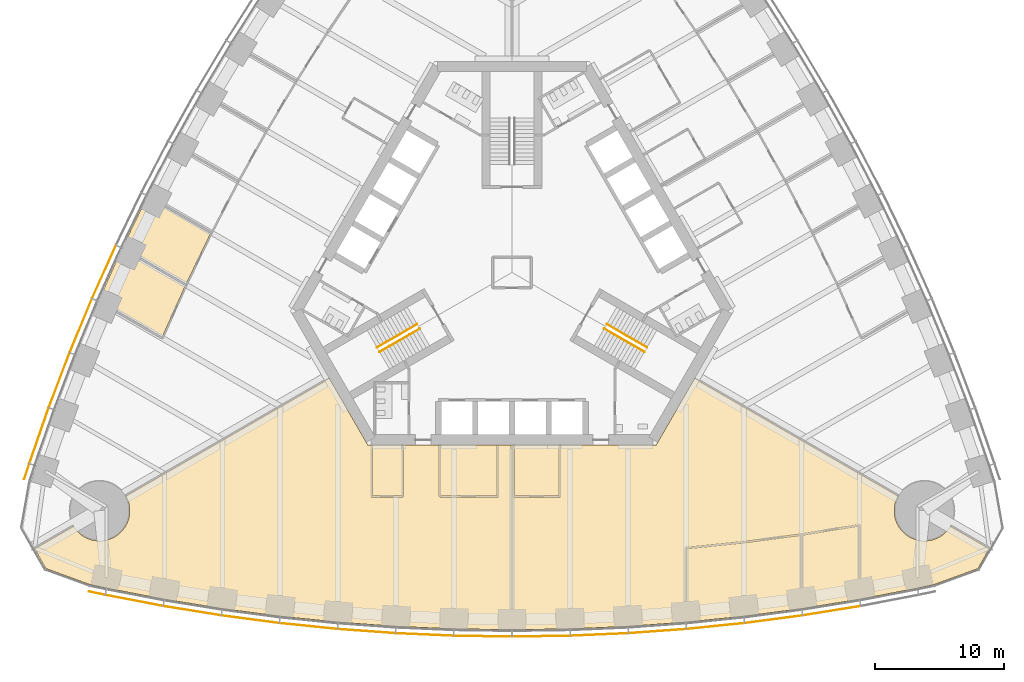
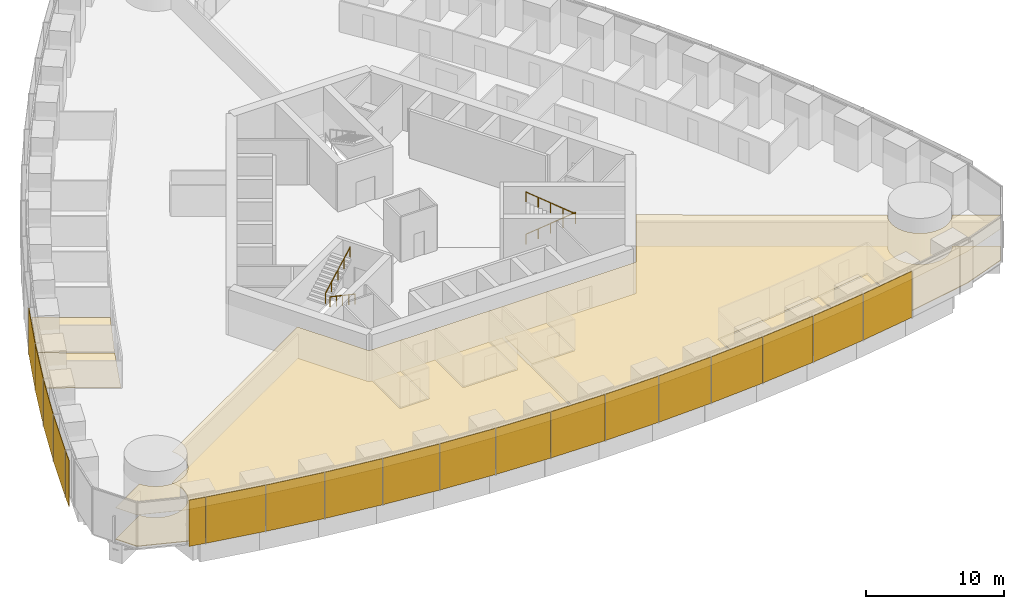
# One storey, part 15 of 19: 19 shading devices, 10 coverings, 4 railings.
"""IFC4 building model written with IfcOpenShell, lengths in metres."""

import ifcopenshell
import ifcopenshell.guid

model = None  # the IFC model being written
_history = None  # IfcOwnerHistory: only IFC2X3 demands one
_inside = {}  # id of a spatial element -> (the spatial element, [elements in it])
_under = {}  # id of a project, library or spatial element -> (it, [spatial elements below it])
_declared = {}  # id of a project -> (the project, [libraries it declares])
_typed = {}  # id of a type object -> (the type object, [elements of that type])
_made_of = {}  # id of a material, layer set ... -> (it, [elements and type objects made of it])


def new_model(schema):
    """Start an empty IFC model of exactly this schema.

    Asked for "IFC4X3", IfcOpenShell would pick the latest addendum, in which some entities
    have other attributes; the version numbers below select the first issue.
    IFC2X3 requires an IfcOwnerHistory on every rooted entity: one is made here for all.
    """
    global model, _history
    if schema == "IFC4X3":
        model = ifcopenshell.file(schema_version=(4, 3, 0, 0))
    else:
        model = ifcopenshell.file(schema=schema)
    _inside.clear()
    _under.clear()
    _declared.clear()
    _typed.clear()
    _made_of.clear()
    _history = None
    if model.schema == "IFC2X3":
        org = make("IfcOrganization", Name="unknown")
        user = make(
            "IfcPersonAndOrganization",
            ThePerson=make("IfcPerson", FamilyName="unknown"),
            TheOrganization=org,
        )
        app = make(
            "IfcApplication",
            ApplicationDeveloper=org,
            Version="unknown",
            ApplicationFullName="unknown",
            ApplicationIdentifier="unknown",
        )
        _history = make(
            "IfcOwnerHistory",
            OwningUser=user,
            OwningApplication=app,
            ChangeAction="ADDED",
            CreationDate=0,
        )
    return model


def make(cls, **values):
    """One entity of the class cls with the attributes given. An attribute that is None is left unset."""
    return model.create_entity(
        cls, **{name: value for name, value in values.items() if value is not None}
    )


def rooted(cls, **values):
    """An entity with a GlobalId (a new one), such as an element, a storey or a relation."""
    return make(cls, GlobalId=ifcopenshell.guid.new(), OwnerHistory=_history, **values)


def si_unit(unit_type, name, prefix=None):
    """IfcSIUnit, for example si_unit("LENGTHUNIT", "METRE", prefix="MILLI")."""
    return make("IfcSIUnit", UnitType=unit_type, Prefix=prefix, Name=name)


def assignment(units):
    """IfcUnitAssignment: the units of a project."""
    return None if units is None else make("IfcUnitAssignment", Units=units)


def point(xyz):
    """IfcCartesianPoint."""
    return None if xyz is None else make("IfcCartesianPoint", Coordinates=xyz)


def direction(xyz):
    """IfcDirection."""
    return None if xyz is None else make("IfcDirection", DirectionRatios=xyz)


def frame(location, z_axis=None, x_axis=None):
    """IfcAxis2Placement3D, a coordinate frame: its origin and axes. An axis left out is left unset."""
    return make(
        "IfcAxis2Placement3D",
        Location=point(location),
        Axis=direction(z_axis),
        RefDirection=direction(x_axis),
    )


def frame_2d(location, x_axis=None):
    """IfcAxis2Placement2D, a coordinate frame in the plane: its origin and x axis."""
    return make(
        "IfcAxis2Placement2D", Location=point(location), RefDirection=direction(x_axis)
    )


def origin():
    """The frame at (0, 0, 0) with its axes left unset."""
    return frame((0.0, 0.0, 0.0))


def origin_2d():
    """The frame at (0, 0) in the plane with its x axis left unset."""
    return frame_2d((0.0, 0.0))


def place(relative_to, where):
    """IfcLocalPlacement: puts the frame where relative to a parent placement (None: the world)."""
    return make(
        "IfcLocalPlacement", PlacementRelTo=relative_to, RelativePlacement=where
    )


def context(
    kind, dimensions, precision=None, world=None, true_north=None, identifier=None
):
    """IfcGeometricRepresentationContext, for example the 3D "Model" context."""
    return make(
        "IfcGeometricRepresentationContext",
        ContextIdentifier=identifier,
        ContextType=kind,
        CoordinateSpaceDimension=dimensions,
        Precision=precision,
        WorldCoordinateSystem=world,
        TrueNorth=true_north,
    )


def subcontext(parent, identifier, kind, view, scale=None):
    """IfcGeometricRepresentationSubContext, for example "Body" below "Model"."""
    return make(
        "IfcGeometricRepresentationSubContext",
        ContextIdentifier=identifier,
        ContextType=kind,
        ParentContext=parent,
        TargetScale=scale,
        TargetView=view,
    )


def project(units=None, contexts=None):
    """IfcProject with its units and contexts."""
    return rooted(
        "IfcProject",
        Name="project",
        RepresentationContexts=contexts,
        UnitsInContext=assignment(units),
    )


def spatial(cls, under=None, at=None, **own):
    """A site, building, storey or space (cls), placed at a placement, below another one or the project."""
    s = rooted(cls, ObjectPlacement=at, **own)
    if under is not None:
        _under.setdefault(under.id(), (under, []))[1].append(s)
    return s


def polyline(points):
    """IfcPolyline through the points."""
    return make("IfcPolyline", Points=[point(p) for p in points])


def profile(cls, at=None, kind="AREA", **sizes):
    """A parametric profile (cls). Its sizes go by their IFC names, for example OverallWidth=200.0."""
    return make(cls, ProfileType=kind, Position=at, **sizes)


def rectangle(**sizes):
    """IfcRectangleProfileDef."""
    return profile("IfcRectangleProfileDef", **sizes)


def circle(**sizes):
    """IfcCircleProfileDef."""
    return profile("IfcCircleProfileDef", **sizes)


def outline(outer, holes=None, kind="AREA"):
    """IfcArbitraryClosedProfileDef: a profile drawn as a closed curve; with holes, ...WithVoids."""
    if holes is None:
        return make("IfcArbitraryClosedProfileDef", ProfileType=kind, OuterCurve=outer)
    return make(
        "IfcArbitraryProfileDefWithVoids",
        ProfileType=kind,
        OuterCurve=outer,
        InnerCurves=holes,
    )


def extrude(swept, where, along, depth):
    """IfcExtrudedAreaSolid: the profile swept, set in the frame where, extruded along a direction by depth."""
    return make(
        "IfcExtrudedAreaSolid",
        SweptArea=swept,
        Position=where,
        ExtrudedDirection=direction(along),
        Depth=depth,
    )


def shape(context_of_items, identifier, shape_type, items):
    """IfcShapeRepresentation: the items that make up one representation, for example the "Body"."""
    return make(
        "IfcShapeRepresentation",
        ContextOfItems=context_of_items,
        RepresentationIdentifier=identifier,
        RepresentationType=shape_type,
        Items=items,
    )


def material(Name=None, Category=None):
    """IfcMaterial."""
    return make("IfcMaterial", Name=Name, Category=Category)


def layer(
    of_material, thickness, ventilated=None, Name=None, Category=None, Priority=None
):
    """IfcMaterialLayer: one layer of a wall or slab, of a material (None: an air gap)."""
    return make(
        "IfcMaterialLayer",
        Material=of_material,
        LayerThickness=thickness,
        IsVentilated=ventilated,
        Name=Name,
        Category=Category,
        Priority=Priority,
    )


def layer_set(layers, Name=None):
    """IfcMaterialLayerSet."""
    return make("IfcMaterialLayerSet", MaterialLayers=layers, LayerSetName=Name)


def made_of(thing, what):
    """Note that an element or type object is made of a material, layer set ...; save() writes the relation."""
    if what is not None:
        _made_of.setdefault(what.id(), (what, []))[1].append(thing)
    return thing


def type_object(cls, material=None, **own):
    """A type object (cls), such as IfcWallType, which elements share."""
    return made_of(rooted(cls, **own), material)


def element(
    cls,
    number,
    at=None,
    inside=None,
    cuts=None,
    type_object=None,
    material=None,
    context=None,
    identifier="Body",
    shape_type=None,
    held_by="IfcProductDefinitionShape",
    body=None,
    shapes=None,
    **own,
):
    """One element of the class cls, such as IfcWall. Its Tag is "e" and its number.

    at: its placement. inside: the storey or other place that contains it. cuts: it is an
    opening in that element (IfcRelVoidsElement). A single representation is given by context,
    identifier, shape_type and body (its items); several are given by shapes. held_by: the class
    of the entity that holds the representations. save() writes the other relations.
    """
    e = rooted(cls, Tag="e%d" % number, ObjectPlacement=at, **own)
    if body is not None:
        shapes = [shape(context, identifier, shape_type, body)]
    if shapes is not None:
        e.Representation = make(held_by, Representations=shapes)
    if inside is not None:
        _inside.setdefault(inside.id(), (inside, []))[1].append(e)
    if cuts is not None:
        rooted(
            "IfcRelVoidsElement", RelatingBuildingElement=cuts, RelatedOpeningElement=e
        )
    if type_object is not None:
        _typed.setdefault(type_object.id(), (type_object, []))[1].append(e)
    return made_of(e, material)


def aggregate(whole, parts):
    """IfcRelAggregates: a whole, such as a stair, and the parts it consists of."""
    return rooted("IfcRelAggregates", RelatingObject=whole, RelatedObjects=parts)


def save(model, path):
    """Write the relations noted so far, then the file.

    IfcRelAggregates (storeys below a building ...), IfcRelContainedInSpatialStructure (elements
    in a storey), IfcRelDefinesByType, IfcRelAssociatesMaterial and IfcRelDeclares: one each for
    every whole, place, type object, material and project.
    """
    for whole, parts in _under.values():
        aggregate(whole, parts)
    for where, things in _inside.values():
        rooted(
            "IfcRelContainedInSpatialStructure",
            RelatedElements=things,
            RelatingStructure=where,
        )
    for kind, things in _typed.values():
        rooted("IfcRelDefinesByType", RelatedObjects=things, RelatingType=kind)
    for what, things in _made_of.values():
        rooted("IfcRelAssociatesMaterial", RelatedObjects=things, RelatingMaterial=what)
    for by, libraries in _declared.values():
        rooted("IfcRelDeclares", RelatingContext=by, RelatedDefinitions=libraries)
    model.write(path)


model = new_model("IFC4")

# Units and contexts
model_context = context("Model", 3, precision=1e-05, world=origin(), true_north=direction((0.0, 1.0)))
body_context = subcontext(model_context, "Body", "Model", "MODEL_VIEW")
ifc_project = project(units=[si_unit("LENGTHUNIT", "METRE"), si_unit("AREAUNIT", "SQUARE_METRE"), si_unit("VOLUMEUNIT", "CUBIC_METRE"), si_unit("PLANEANGLEUNIT", "RADIAN"), si_unit("MASSUNIT", "GRAM", prefix="KILO")], contexts=[model_context])

# Site, building, storey
site_placement = place(None, origin())
site = spatial("IfcSite", under=ifc_project, at=site_placement, CompositionType="ELEMENT")
building_placement = place(site_placement, origin())
building = spatial("IfcBuilding", under=site, at=building_placement, Name="Trefoil Bronze Tower", CompositionType="ELEMENT")
storey_placement = place(building_placement, frame((0.0, 0.0, 79.5)))
storey = spatial("IfcBuildingStorey", under=building, at=storey_placement, Name="L18", CompositionType="ELEMENT", Elevation=79.5)

# Shading devices
ifc_material_1 = material(Name="Perforated bronze sheet", Category="bronze")
ifc_layer_1 = layer(ifc_material_1, 0.0400390625)
ifc_layer_set_1 = layer_set([ifc_layer_1], Name="Bronze solar screen panel")
shading_device_type = type_object("IfcShadingDeviceType", Name="Bronze solar screen panel", PredefinedType="SHUTTER", material=ifc_layer_set_1)
shading_device_1_placement = place(storey_placement, frame((-32.2431640625, -24.91064453125, 0.050048828125), z_axis=(0.0, 0.0, 1.0), x_axis=(0.978302717041, -0.207180582657, 0.0)))
element("IfcShadingDevice", 1, at=shading_device_1_placement, inside=storey, type_object=shading_device_type, Name="Solar screen CW-A L18 F1 bay 1", PredefinedType="SHUTTER", context=body_context, shape_type="SweptSolid", body=[
    extrude(rectangle(XDim=1.260498046875, YDim=0.0400390625, at=origin_2d()), origin(), (0.0, 0.0, 1.0), 4.10009765625),
])
shading_device_2_placement = place(storey_placement, frame((-29.351806640625, -25.478515625, 0.050048828125), z_axis=(0.0, 0.0, 1.0), x_axis=(0.982049823817, -0.188621694249, 0.0)))
element("IfcShadingDevice", 2, at=shading_device_2_placement, inside=storey, type_object=shading_device_type, Name="Solar screen CW-A L18 F1 bay 2", PredefinedType="SHUTTER", context=body_context, shape_type="SweptSolid", body=[
    extrude(rectangle(XDim=4.55224609375, YDim=0.0400390625, at=origin_2d()), origin(), (0.0, 0.0, 1.0), 4.10009765625),
])
shading_device_3_placement = place(storey_placement, frame((-24.836181640625, -26.277099609375, 0.050048828125), z_axis=(0.0, 0.0, 1.0), x_axis=(0.987181315145, -0.159602791421, 0.0)))
element("IfcShadingDevice", 3, at=shading_device_3_placement, inside=storey, type_object=shading_device_type, Name="Solar screen CW-A L18 F1 bay 3", PredefinedType="SHUTTER", context=body_context, shape_type="SweptSolid", body=[
    extrude(rectangle(XDim=4.5283203125, YDim=0.0400390625, at=origin_2d()), origin(), (0.0, 0.0, 1.0), 4.10009765625),
])
shading_device_4_placement = place(storey_placement, frame((-20.320556640625, -26.939697265625, 0.050048828125), z_axis=(0.0, 0.0, 1.0), x_axis=(0.991437251591, -0.130583981243, 0.0)))
element("IfcShadingDevice", 4, at=shading_device_4_placement, inside=storey, type_object=shading_device_type, Name="Solar screen CW-A L18 F1 bay 4", PredefinedType="SHUTTER", context=body_context, shape_type="SweptSolid", body=[
    extrude(rectangle(XDim=4.5087890625, YDim=0.0400390625, at=origin_2d()), origin(), (0.0, 0.0, 1.0), 4.10009765625),
])
shading_device_5_placement = place(storey_placement, frame((-15.804931640625, -27.467529296875, 0.050048828125), z_axis=(0.0, 0.0, 1.0), x_axis=(0.994828880293, -0.101565244717, 0.0)))
element("IfcShadingDevice", 5, at=shading_device_5_placement, inside=storey, type_object=shading_device_type, Name="Solar screen CW-A L18 F1 bay 5", PredefinedType="SHUTTER", context=body_context, shape_type="SweptSolid", body=[
    extrude(rectangle(XDim=4.493408203125, YDim=0.0400390625, at=origin_2d()), origin(), (0.0, 0.0, 1.0), 4.10009765625),
])
shading_device_6_placement = place(storey_placement, frame((-11.2890625, -27.8623046875, 0.050048828125), z_axis=(0.0, 0.0, 1.0), x_axis=(0.99736502647, -0.072546564177, 0.0)))
element("IfcShadingDevice", 6, at=shading_device_6_placement, inside=storey, type_object=shading_device_type, Name="Solar screen CW-A L18 F1 bay 6", PredefinedType="SHUTTER", context=body_context, shape_type="SweptSolid", body=[
    extrude(rectangle(XDim=4.48193359375, YDim=0.0400390625, at=origin_2d()), origin(), (0.0, 0.0, 1.0), 4.10009765625),
])
shading_device_7_placement = place(storey_placement, frame((-6.7734375, -28.124755859375, 0.050048828125), z_axis=(0.0, 0.0, 1.0), x_axis=(0.999052210809, -0.043527922969, 0.0)))
element("IfcShadingDevice", 7, at=shading_device_7_placement, inside=storey, type_object=shading_device_type, Name="Solar screen CW-A L18 F1 bay 7", PredefinedType="SHUTTER", context=body_context, shape_type="SweptSolid", body=[
    extrude(rectangle(XDim=4.474365234375, YDim=0.0400390625, at=origin_2d()), origin(), (0.0, 0.0, 1.0), 4.10009765625),
])
for number, where, z_axis, x_axis, name in (
    (8, (-2.2578125, -28.256103515625, 0.050048828125), (0.0, 0.0, 1.0), (0.999894734493, -0.014509305083, 0.0), "Solar screen CW-A L18 F1 bay 8"),
    (9, (2.2578125, -28.256103515625, 0.050048828125), (0.0, 0.0, 1.0), (0.999894734493, 0.014509305083, 0.0), "Solar screen CW-A L18 F1 bay 9"),
):
    element("IfcShadingDevice", number, at=place(storey_placement, frame(where, z_axis=z_axis, x_axis=x_axis)), inside=storey, type_object=shading_device_type, Name=name, PredefinedType="SHUTTER", context=body_context, shape_type="SweptSolid", body=[
        extrude(rectangle(XDim=4.470458984375, YDim=0.0400390625, at=origin_2d()), origin(), (0.0, 0.0, 1.0), 4.10009765625),
    ])
shading_device_8_placement = place(storey_placement, frame((6.7734375, -28.124755859375, 0.050048828125), z_axis=(0.0, 0.0, 1.0), x_axis=(0.999052210809, 0.043527922969, 0.0)))
element("IfcShadingDevice", 10, at=shading_device_8_placement, inside=storey, type_object=shading_device_type, Name="Solar screen CW-A L18 F1 bay 10", PredefinedType="SHUTTER", context=body_context, shape_type="SweptSolid", body=[
    extrude(rectangle(XDim=4.474365234375, YDim=0.0400390625, at=origin_2d()), origin(), (0.0, 0.0, 1.0), 4.10009765625),
])
shading_device_9_placement = place(storey_placement, frame((11.2890625, -27.8623046875, 0.050048828125), z_axis=(0.0, 0.0, 1.0), x_axis=(0.99736502647, 0.072546564177, 0.0)))
element("IfcShadingDevice", 11, at=shading_device_9_placement, inside=storey, type_object=shading_device_type, Name="Solar screen CW-A L18 F1 bay 11", PredefinedType="SHUTTER", context=body_context, shape_type="SweptSolid", body=[
    extrude(rectangle(XDim=4.48193359375, YDim=0.0400390625, at=origin_2d()), origin(), (0.0, 0.0, 1.0), 4.10009765625),
])
shading_device_10_placement = place(storey_placement, frame((15.804931640625, -27.467529296875, 0.050048828125), z_axis=(0.0, 0.0, 1.0), x_axis=(0.994828880293, 0.101565244717, 0.0)))
element("IfcShadingDevice", 12, at=shading_device_10_placement, inside=storey, type_object=shading_device_type, Name="Solar screen CW-A L18 F1 bay 12", PredefinedType="SHUTTER", context=body_context, shape_type="SweptSolid", body=[
    extrude(rectangle(XDim=4.493408203125, YDim=0.0400390625, at=origin_2d()), origin(), (0.0, 0.0, 1.0), 4.10009765625),
])
shading_device_11_placement = place(storey_placement, frame((20.320556640625, -26.939697265625, 0.050048828125), z_axis=(0.0, 0.0, 1.0), x_axis=(0.991437251591, 0.130583981243, 0.0)))
element("IfcShadingDevice", 13, at=shading_device_11_placement, inside=storey, type_object=shading_device_type, Name="Solar screen CW-A L18 F1 bay 13", PredefinedType="SHUTTER", context=body_context, shape_type="SweptSolid", body=[
    extrude(rectangle(XDim=4.5087890625, YDim=0.0400390625, at=origin_2d()), origin(), (0.0, 0.0, 1.0), 4.10009765625),
])
shading_device_12_placement = place(storey_placement, frame((24.836181640625, -26.277099609375, 0.050048828125), z_axis=(0.0, 0.0, 1.0), x_axis=(0.987181315145, 0.159602791421, 0.0)))
element("IfcShadingDevice", 14, at=shading_device_12_placement, inside=storey, type_object=shading_device_type, Name="Solar screen CW-A L18 F1 bay 14", PredefinedType="SHUTTER", context=body_context, shape_type="SweptSolid", body=[
    extrude(rectangle(XDim=4.5283203125, YDim=0.0400390625, at=origin_2d()), origin(), (0.0, 0.0, 1.0), 4.10009765625),
])
shading_device_13_placement = place(storey_placement, frame((-31.68994140625, 0.04638671875, 0.050048828125), z_axis=(0.0, 0.0, 1.0), x_axis=(-0.40945635808, -0.912329705111, 0.0)))
element("IfcShadingDevice", 15, at=shading_device_13_placement, inside=storey, type_object=shading_device_type, Name="Solar screen CW-A L18 F3 bay 12", PredefinedType="SHUTTER", context=body_context, shape_type="SweptSolid", body=[
    extrude(rectangle(XDim=4.493408203125, YDim=0.0400390625, at=origin_2d()), origin(), (0.0, 0.0, 1.0), 4.10009765625),
])
shading_device_14_placement = place(storey_placement, frame((-33.49072265625, -4.128173828125, 0.050048828125), z_axis=(0.0, 0.0, 1.0), x_axis=(-0.382629580712, -0.923901836758, 0.0)))
element("IfcShadingDevice", 16, at=shading_device_14_placement, inside=storey, type_object=shading_device_type, Name="Solar screen CW-A L18 F3 bay 13", PredefinedType="SHUTTER", context=body_context, shape_type="SweptSolid", body=[
    extrude(rectangle(XDim=4.5087890625, YDim=0.0400390625, at=origin_2d()), origin(), (0.0, 0.0, 1.0), 4.10009765625),
])
shading_device_15_placement = place(storey_placement, frame((-35.1748046875, -8.3701171875, 0.050048828125), z_axis=(0.0, 0.0, 1.0), x_axis=(-0.355370585687, -0.934725492767, 0.0)))
element("IfcShadingDevice", 17, at=shading_device_15_placement, inside=storey, type_object=shading_device_type, Name="Solar screen CW-A L18 F3 bay 14", PredefinedType="SHUTTER", context=body_context, shape_type="SweptSolid", body=[
    extrude(rectangle(XDim=4.5283203125, YDim=0.0400390625, at=origin_2d()), origin(), (0.0, 0.0, 1.0), 4.10009765625),
])
shading_device_16_placement = place(storey_placement, frame((-36.740966796875, -12.68017578125, 0.050048828125), z_axis=(0.0, 0.0, 1.0), x_axis=(-0.327673732984, -0.944790942332, 0.0)))
element("IfcShadingDevice", 18, at=shading_device_16_placement, inside=storey, type_object=shading_device_type, Name="Solar screen CW-A L18 F3 bay 15", PredefinedType="SHUTTER", context=body_context, shape_type="SweptSolid", body=[
    extrude(rectangle(XDim=4.55224609375, YDim=0.0400390625, at=origin_2d()), origin(), (0.0, 0.0, 1.0), 4.10009765625),
])
shading_device_17_placement = place(storey_placement, frame((-37.69482421875, -15.468017578125, 0.050048828125), z_axis=(0.0, 0.0, 1.0), x_axis=(-0.309727710769, -0.950825296877, 0.0)))
element("IfcShadingDevice", 19, at=shading_device_17_placement, inside=storey, type_object=shading_device_type, Name="Solar screen CW-A L18 F3 bay 16", PredefinedType="SHUTTER", context=body_context, shape_type="SweptSolid", body=[
    extrude(rectangle(XDim=1.260498046875, YDim=0.0400390625, at=origin_2d()), origin(), (0.0, 0.0, 1.0), 4.10009765625),
])

# Railings
ifc_material_2 = material(Name="Steel handrail", Category="steel")
railing_type = type_object("IfcRailingType", Name="Handrail 900", PredefinedType="HANDRAIL", material=ifc_material_2)
railing_1_placement = place(storey_placement, frame((7.365966796875, -4.021728515625, 0.16162109375)))
element("IfcRailing", 20, at=railing_1_placement, inside=storey, type_object=railing_type, Name="Handrail ST1 flight 1 L18", PredefinedType="HANDRAIL", context=body_context, shape_type="SweptSolid", body=[
    extrude(circle(Radius=0.02392578125, at=origin_2d()), frame((0.0, 0.0, 0.8759765625), z_axis=(0.76250339821, -0.440245697338, 0.474101564745), x_axis=(0.500012057535, 0.866018442252, 0.0)), (0.0, 0.0, 1.0), 4.088623046875),
    extrude(circle(Radius=0.02099609375, at=origin_2d()), origin(), (0.0, 0.0, 1.0), 0.851806640625),
    extrude(circle(Radius=0.02099609375, at=origin_2d()), frame((0.779296875, -0.449951171875, 0.484619140625)), (0.0, 0.0, 1.0), 0.851806640625),
    extrude(circle(Radius=0.02099609375, at=origin_2d()), frame((1.558837890625, -0.89990234375, 0.96923828125)), (0.0, 0.0, 1.0), 0.851806640625),
    extrude(circle(Radius=0.02099609375, at=origin_2d()), frame((2.33837890625, -1.35009765625, 1.453857421875)), (0.0, 0.0, 1.0), 0.851806640625),
    extrude(circle(Radius=0.02099609375, at=origin_2d()), frame((3.11767578125, -1.800048828125, 1.9384765625)), (0.0, 0.0, 1.0), 0.851806640625),
])
railing_2_placement = place(storey_placement, frame((10.28369140625, -6.168212890625, 2.261474609375)))
element("IfcRailing", 21, at=railing_2_placement, inside=storey, type_object=railing_type, Name="Handrail ST1 flight 2 L18", PredefinedType="HANDRAIL", context=body_context, shape_type="SweptSolid", body=[
    extrude(circle(Radius=0.02392578125, at=origin_2d()), frame((0.0, 0.0, 0.8759765625), z_axis=(-0.76250339821, 0.440245697338, 0.474101564745), x_axis=(-0.500012057535, -0.866018442252, 0.0)), (0.0, 0.0, 1.0), 4.088623046875),
    extrude(circle(Radius=0.02099609375, at=origin_2d()), origin(), (0.0, 0.0, 1.0), 0.851806640625),
    extrude(circle(Radius=0.02099609375, at=origin_2d()), frame((-0.779296875, 0.449951171875, 0.484619140625)), (0.0, 0.0, 1.0), 0.851806640625),
    extrude(circle(Radius=0.02099609375, at=origin_2d()), frame((-1.558837890625, 0.89990234375, 0.96923828125)), (0.0, 0.0, 1.0), 0.851806640625),
    extrude(circle(Radius=0.02099609375, at=origin_2d()), frame((-2.33837890625, 1.35009765625, 1.453857421875)), (0.0, 0.0, 1.0), 0.851806640625),
    extrude(circle(Radius=0.02099609375, at=origin_2d()), frame((-3.11767578125, 1.800048828125, 1.9384765625)), (0.0, 0.0, 1.0), 0.851806640625),
])
railing_3_placement = place(storey_placement, frame((-7.166015625, -4.3681640625, 0.16162109375)))
element("IfcRailing", 22, at=railing_3_placement, inside=storey, type_object=railing_type, Name="Handrail ST3 flight 1 L18", PredefinedType="HANDRAIL", context=body_context, shape_type="SweptSolid", body=[
    extrude(circle(Radius=0.02392578125, at=origin_2d()), frame((0.0, 0.0, 0.8759765625), z_axis=(-0.76250339821, -0.440245697338, 0.474101564745), x_axis=(0.500012057535, -0.866018442252, 0.0)), (0.0, 0.0, 1.0), 4.088623046875),
    extrude(circle(Radius=0.02099609375, at=origin_2d()), origin(), (0.0, 0.0, 1.0), 0.851806640625),
    extrude(circle(Radius=0.02099609375, at=origin_2d()), frame((-0.779296875, -0.449951171875, 0.484619140625)), (0.0, 0.0, 1.0), 0.851806640625),
    extrude(circle(Radius=0.02099609375, at=origin_2d()), frame((-1.558837890625, -0.89990234375, 0.96923828125)), (0.0, 0.0, 1.0), 0.851806640625),
    extrude(circle(Radius=0.02099609375, at=origin_2d()), frame((-2.33837890625, -1.35009765625, 1.453857421875)), (0.0, 0.0, 1.0), 0.851806640625),
    extrude(circle(Radius=0.02099609375, at=origin_2d()), frame((-3.11767578125, -1.800048828125, 1.9384765625)), (0.0, 0.0, 1.0), 0.851806640625),
])
railing_4_placement = place(storey_placement, frame((-10.483642578125, -5.82177734375, 2.261474609375)))
element("IfcRailing", 23, at=railing_4_placement, inside=storey, type_object=railing_type, Name="Handrail ST3 flight 2 L18", PredefinedType="HANDRAIL", context=body_context, shape_type="SweptSolid", body=[
    extrude(circle(Radius=0.02392578125, at=origin_2d()), frame((0.0, 0.0, 0.8759765625), z_axis=(0.76250339821, 0.440245697338, 0.474101564745), x_axis=(-0.500012057535, 0.866018442252, 0.0)), (0.0, 0.0, 1.0), 4.088623046875),
    extrude(circle(Radius=0.02099609375, at=origin_2d()), origin(), (0.0, 0.0, 1.0), 0.851806640625),
    extrude(circle(Radius=0.02099609375, at=origin_2d()), frame((0.779296875, 0.449951171875, 0.484619140625)), (0.0, 0.0, 1.0), 0.851806640625),
    extrude(circle(Radius=0.02099609375, at=origin_2d()), frame((1.558837890625, 0.89990234375, 0.96923828125)), (0.0, 0.0, 1.0), 0.851806640625),
    extrude(circle(Radius=0.02099609375, at=origin_2d()), frame((2.33837890625, 1.35009765625, 1.453857421875)), (0.0, 0.0, 1.0), 0.851806640625),
    extrude(circle(Radius=0.02099609375, at=origin_2d()), frame((3.11767578125, 1.800048828125, 1.9384765625)), (0.0, 0.0, 1.0), 0.851806640625),
])

# Coverings
ifc_material_3 = material(Name="Acoustic ceiling panels", Category="mineral fibre")
ifc_layer_2 = layer(ifc_material_3, 0.02001953125)
ifc_layer_set_2 = layer_set([ifc_layer_2], Name="Office ceiling 20")
covering_type_1 = type_object("IfcCoveringType", Name="Office ceiling 20", PredefinedType="CEILING", material=ifc_layer_set_2)
covering_1_placement = place(storey_placement, frame((0.0, 0.0, 2.89990234375)))
element("IfcCovering", 24, at=covering_1_placement, inside=storey, type_object=covering_type_1, Name="Ceiling L18 Open-plan office F1", PredefinedType="CEILING", context=body_context, shape_type="SweptSolid", body=[
    extrude(outline(polyline([(-33.996826171875, -19.8056640625), (-33.930419921875, -19.89990234375), (-33.859619140625, -19.99072265625), (-33.7841796875, -20.078125), (-33.70458984375, -20.16162109375), (-33.62109375, -20.2412109375), (-33.53369140625, -20.316650390625), (-33.44287109375, -20.387451171875), (-33.348388671875, -20.4541015625), (-33.251220703125, -20.515625), (-33.150634765625, -20.572509765625), (-33.047607421875, -20.62451171875), (-32.942138671875, -20.671142578125), (-32.834716796875, -20.712646484375), (-32.72509765625, -20.748779296875), (-32.614013671875, -20.779541015625), (-32.50146484375, -20.8046875), (-32.3876953125, -20.82470703125), (-32.273193359375, -20.838623046875), (-32.158203125, -20.84716796875), (-32.04296875, -20.85009765625), (-31.927490234375, -20.84716796875), (-31.8125, -20.838623046875), (-31.697998046875, -20.82470703125), (-31.58447265625, -20.8046875), (-31.471923828125, -20.779541015625), (-31.36083984375, -20.748779296875), (-31.251220703125, -20.712646484375), (-31.1435546875, -20.671142578125), (-31.0380859375, -20.62451171875), (-30.935302734375, -20.572509765625), (-30.834716796875, -20.515625), (-30.7373046875, -20.4541015625), (-30.64306640625, -20.387451171875), (-30.552001953125, -20.316650390625), (-30.46484375, -20.2412109375), (-30.381103515625, -20.16162109375), (-30.3017578125, -20.078125), (-30.226318359375, -19.99072265625), (-30.155517578125, -19.89990234375), (-30.089111328125, -19.8056640625), (-30.02734375, -19.7080078125), (-29.970458984375, -19.60791015625), (-29.918701171875, -19.5048828125), (-29.871826171875, -19.3994140625), (-29.830322265625, -19.291748046875), (-29.794189453125, -19.18212890625), (-29.763427734375, -19.071044921875), (-29.738037109375, -18.95849609375), (-29.718505859375, -18.8447265625), (-29.704345703125, -18.730224609375), (-29.69580078125, -18.615234375), (-29.69287109375, -18.5), (-29.69580078125, -18.384765625), (-29.704345703125, -18.269775390625), (-29.718505859375, -18.1552734375), (-29.738037109375, -18.04150390625), (-29.763427734375, -17.928955078125), (-29.794189453125, -17.81787109375), (-29.830322265625, -17.708251953125), (-29.871826171875, -17.6005859375), (-29.918701171875, -17.4951171875), (-29.970458984375, -17.39208984375), (-30.001953125, -17.336669921875), (-14.19970703125, -8.205322265625), (-11.20068359375, -13.39990234375), (11.20068359375, -13.39990234375), (14.19970703125, -8.205322265625), (30.001953125, -17.336669921875), (29.970458984375, -17.39208984375), (29.918701171875, -17.4951171875), (29.871826171875, -17.6005859375), (29.830322265625, -17.708251953125), (29.794189453125, -17.81787109375), (29.763427734375, -17.928955078125), (29.738037109375, -18.04150390625), (29.718505859375, -18.1552734375), (29.704345703125, -18.269775390625), (29.69580078125, -18.384765625), (29.69287109375, -18.5), (29.69580078125, -18.615234375), (29.704345703125, -18.730224609375), (29.718505859375, -18.8447265625), (29.738037109375, -18.95849609375), (29.763427734375, -19.071044921875), (29.794189453125, -19.18212890625), (29.830322265625, -19.291748046875), (29.871826171875, -19.3994140625), (29.918701171875, -19.5048828125), (29.970458984375, -19.60791015625), (30.02734375, -19.7080078125), (30.089111328125, -19.8056640625), (30.155517578125, -19.89990234375), (30.226318359375, -19.99072265625), (30.3017578125, -20.078125), (30.381103515625, -20.16162109375), (30.46484375, -20.2412109375), (30.552001953125, -20.316650390625), (30.64306640625, -20.387451171875), (30.7373046875, -20.4541015625), (30.834716796875, -20.515625), (30.935302734375, -20.572509765625), (31.0380859375, -20.62451171875), (31.1435546875, -20.671142578125), (31.251220703125, -20.712646484375), (31.36083984375, -20.748779296875), (31.471923828125, -20.779541015625), (31.58447265625, -20.8046875), (31.697998046875, -20.82470703125), (31.8125, -20.838623046875), (31.927490234375, -20.84716796875), (32.04296875, -20.85009765625), (32.158203125, -20.84716796875), (32.273193359375, -20.838623046875), (32.3876953125, -20.82470703125), (32.50146484375, -20.8046875), (32.614013671875, -20.779541015625), (32.72509765625, -20.748779296875), (32.834716796875, -20.712646484375), (32.942138671875, -20.671142578125), (33.047607421875, -20.62451171875), (33.150634765625, -20.572509765625), (33.251220703125, -20.515625), (33.348388671875, -20.4541015625), (33.44287109375, -20.387451171875), (33.53369140625, -20.316650390625), (33.62109375, -20.2412109375), (33.70458984375, -20.16162109375), (33.7841796875, -20.078125), (33.859619140625, -19.99072265625), (33.930419921875, -19.89990234375), (33.996826171875, -19.8056640625), (34.0703125, -19.6875), (37.094482421875, -21.43505859375), (36.190673828125, -23.0009765625), (32.762451171875, -24.248779296875), (31.5, -24.51611328125), (27.0, -25.38037109375), (22.5, -26.10791015625), (18.0, -26.70068359375), (13.5, -27.159912109375), (9.0, -27.4873046875), (4.5, -27.683349609375), (0.0, -27.748779296875), (-4.5, -27.683349609375), (-9.0, -27.4873046875), (-13.5, -27.159912109375), (-18.0, -26.70068359375), (-22.5, -26.10791015625), (-27.0, -25.38037109375), (-31.5, -24.51611328125), (-32.762451171875, -24.248779296875), (-36.190673828125, -23.0009765625), (-37.094482421875, -21.43505859375), (-34.0703125, -19.6875), (-33.996826171875, -19.8056640625)])), origin(), (0.0, 0.0, 1.0), 0.02001953125),
])
ifc_material_4 = material(Name="Raised access floor panels", Category="steel")
ifc_layer_3 = layer(ifc_material_4, 0.050048828125)
ifc_layer_set_3 = layer_set([ifc_layer_3], Name="Raised access floor 150")
covering_type_2 = type_object("IfcCoveringType", Name="Raised access floor 150", PredefinedType="FLOORING", material=ifc_layer_set_3)
covering_2_placement = place(storey_placement, frame((0.0, 0.0, 0.10009765625)))
element("IfcCovering", 25, at=covering_2_placement, inside=storey, type_object=covering_type_2, Name="Raised floor L18 Project room F1", PredefinedType="FLOORING", context=body_context, shape_type="SweptSolid", body=[
    extrude(outline(polyline([(-1.159912109375, -13.39990234375), (-1.159912109375, -17.340087890625), (-5.5400390625, -17.340087890625), (-5.5400390625, -13.39990234375), (-1.159912109375, -13.39990234375)])), origin(), (0.0, 0.0, 1.0), 0.0498046875),
])
covering_3_placement = place(storey_placement, frame((0.0, 0.0, 0.10009765625)))
element("IfcCovering", 26, at=covering_3_placement, inside=storey, type_object=covering_type_2, Name="Raised floor L18 Meeting room F1", PredefinedType="FLOORING", context=body_context, shape_type="SweptSolid", body=[
    extrude(outline(polyline([(3.6650390625, -13.39990234375), (3.6650390625, -17.340087890625), (0.18505859375, -17.340087890625), (0.18505859375, -13.39990234375), (3.6650390625, -13.39990234375)])), origin(), (0.0, 0.0, 1.0), 0.0498046875),
])
covering_4_placement = place(storey_placement, frame((0.0, 0.0, 0.10009765625)))
element("IfcCovering", 27, at=covering_4_placement, inside=storey, type_object=covering_type_2, Name="Raised floor L18 Comms room F1", PredefinedType="FLOORING", context=body_context, shape_type="SweptSolid", body=[
    extrude(outline(polyline([(-8.56005859375, -13.39990234375), (-8.56005859375, -17.340087890625), (-10.840087890625, -17.340087890625), (-10.840087890625, -13.39990234375), (-8.56005859375, -13.39990234375)])), origin(), (0.0, 0.0, 1.0), 0.0498046875),
])
covering_5_placement = place(storey_placement, frame((0.0, 0.0, 0.10009765625)))
element("IfcCovering", 28, at=covering_5_placement, inside=storey, type_object=covering_type_2, Name="Raised floor L18 Kitchen and breakout F1", PredefinedType="FLOORING", context=body_context, shape_type="SweptSolid", body=[
    extrude(outline(polyline([(18.0, -26.70068359375), (13.5, -27.159912109375), (13.5, -25.52392578125), (13.56005859375, -25.52392578125), (13.56005859375, -21.464111328125), (18.006103515625, -21.01025390625), (18.0, -20.95068359375), (18.0078125, -21.010009765625), (22.43994140625, -20.42626953125), (22.43994140625, -24.460693359375), (22.5, -24.460693359375), (22.5, -26.10791015625), (18.0, -26.70068359375)])), origin(), (0.0, 0.0, 1.0), 0.0498046875),
])
covering_6_placement = place(storey_placement, frame((0.0, 0.0, 0.10009765625)))
element("IfcCovering", 29, at=covering_6_placement, inside=storey, type_object=covering_type_2, Name="Raised floor L18 Meeting room F1", PredefinedType="FLOORING", context=body_context, shape_type="SweptSolid", body=[
    extrude(outline(polyline([(27.0, -25.38037109375), (22.5, -26.10791015625), (22.5, -24.460693359375), (22.56005859375, -24.460693359375), (22.56005859375, -20.408935546875), (26.93994140625, -19.70068359375), (26.93994140625, -23.72509765625), (27.0, -23.72509765625), (27.0, -25.38037109375)])), origin(), (0.0, 0.0, 1.0), 0.0498046875),
])
covering_7_placement = place(storey_placement, frame((0.0, 0.0, 0.10009765625)))
element("IfcCovering", 30, at=covering_7_placement, inside=storey, type_object=covering_type_2, Name="Raised floor L18 Open-plan office F1", PredefinedType="FLOORING", context=body_context, shape_type="SweptSolid", body=[
    extrude(outline(polyline([(-30.001953125, -17.336669921875), (-14.19970703125, -8.205322265625), (-11.20068359375, -13.39990234375), (-10.9599609375, -13.39990234375), (-10.9599609375, -17.39990234375), (-10.89990234375, -17.39990234375), (-10.89990234375, -17.4599609375), (-8.5, -17.4599609375), (-8.5, -17.39990234375), (-8.43994140625, -17.39990234375), (-8.43994140625, -13.39990234375), (-5.659912109375, -13.39990234375), (-5.659912109375, -17.39990234375), (-5.60009765625, -17.39990234375), (-5.60009765625, -17.4599609375), (-1.10009765625, -17.4599609375), (-1.10009765625, -17.39990234375), (-1.0400390625, -17.39990234375), (-1.0400390625, -13.39990234375), (-0.0009765625, -13.39990234375), (-0.0009765625, -13.409912109375), (-0.074951171875, -13.409912109375), (-0.074951171875, -26.11865234375), (-0.0009765625, -26.11865234375), (-0.0009765625, -27.748779296875), (-4.5, -27.683349609375), (-9.0, -27.4873046875), (-13.5, -27.159912109375), (-18.0, -26.70068359375), (-22.5, -26.10791015625), (-27.0, -25.38037109375), (-31.5, -24.51611328125), (-32.762451171875, -24.248779296875), (-36.190673828125, -23.0009765625), (-37.094482421875, -21.43505859375), (-34.0703125, -19.6875), (-33.996826171875, -19.8056640625), (-33.930419921875, -19.89990234375), (-33.859619140625, -19.99072265625), (-33.7841796875, -20.078125), (-33.70458984375, -20.16162109375), (-33.62109375, -20.2412109375), (-33.53369140625, -20.316650390625), (-33.44287109375, -20.387451171875), (-33.348388671875, -20.4541015625), (-33.251220703125, -20.515625), (-33.150634765625, -20.572509765625), (-33.047607421875, -20.62451171875), (-32.942138671875, -20.671142578125), (-32.834716796875, -20.712646484375), (-32.72509765625, -20.748779296875), (-32.614013671875, -20.779541015625), (-32.50146484375, -20.8046875), (-32.3876953125, -20.82470703125), (-32.273193359375, -20.838623046875), (-32.158203125, -20.84716796875), (-32.04296875, -20.85009765625), (-31.927490234375, -20.84716796875), (-31.8125, -20.838623046875), (-31.697998046875, -20.82470703125), (-31.58447265625, -20.8046875), (-31.471923828125, -20.779541015625), (-31.36083984375, -20.748779296875), (-31.251220703125, -20.712646484375), (-31.1435546875, -20.671142578125), (-31.0380859375, -20.62451171875), (-30.935302734375, -20.572509765625), (-30.834716796875, -20.515625), (-30.7373046875, -20.4541015625), (-30.64306640625, -20.387451171875), (-30.552001953125, -20.316650390625), (-30.46484375, -20.2412109375), (-30.381103515625, -20.16162109375), (-30.3017578125, -20.078125), (-30.226318359375, -19.99072265625), (-30.155517578125, -19.89990234375), (-30.089111328125, -19.8056640625), (-30.02734375, -19.7080078125), (-29.970458984375, -19.60791015625), (-29.918701171875, -19.5048828125), (-29.871826171875, -19.3994140625), (-29.830322265625, -19.291748046875), (-29.794189453125, -19.18212890625), (-29.763427734375, -19.071044921875), (-29.738037109375, -18.95849609375), (-29.718505859375, -18.8447265625), (-29.704345703125, -18.730224609375), (-29.69580078125, -18.615234375), (-29.69287109375, -18.5), (-29.69580078125, -18.384765625), (-29.704345703125, -18.269775390625), (-29.718505859375, -18.1552734375), (-29.738037109375, -18.04150390625), (-29.763427734375, -17.928955078125), (-29.794189453125, -17.81787109375), (-29.830322265625, -17.708251953125), (-29.871826171875, -17.6005859375), (-29.918701171875, -17.4951171875), (-29.970458984375, -17.39208984375), (-30.001953125, -17.336669921875)])), origin(), (0.0, 0.0, 1.0), 0.0498046875),
])
covering_8_placement = place(storey_placement, frame((0.0, 0.0, 0.10009765625)))
element("IfcCovering", 31, at=covering_8_placement, inside=storey, type_object=covering_type_2, Name="Raised floor L18 Open-plan office F1", PredefinedType="FLOORING", context=body_context, shape_type="SweptSolid", body=[
    extrude(outline(polyline([(9.0, -27.4873046875), (4.5, -27.683349609375), (0.0009765625, -27.748779296875), (0.0009765625, -26.11865234375), (0.074951171875, -26.11865234375), (0.074951171875, -17.39990234375), (0.125, -17.39990234375), (0.125, -17.4599609375), (3.72509765625, -17.4599609375), (3.72509765625, -17.39990234375), (3.784912109375, -17.39990234375), (3.784912109375, -13.39990234375), (11.20068359375, -13.39990234375), (14.19970703125, -8.205322265625), (30.001953125, -17.336669921875), (29.970458984375, -17.39208984375), (29.918701171875, -17.4951171875), (29.871826171875, -17.6005859375), (29.830322265625, -17.708251953125), (29.794189453125, -17.81787109375), (29.763427734375, -17.928955078125), (29.738037109375, -18.04150390625), (29.718505859375, -18.1552734375), (29.704345703125, -18.269775390625), (29.69580078125, -18.384765625), (29.69287109375, -18.5), (29.69580078125, -18.615234375), (29.704345703125, -18.730224609375), (29.718505859375, -18.8447265625), (29.738037109375, -18.95849609375), (29.763427734375, -19.071044921875), (29.794189453125, -19.18212890625), (29.830322265625, -19.291748046875), (29.871826171875, -19.3994140625), (29.918701171875, -19.5048828125), (29.970458984375, -19.60791015625), (30.02734375, -19.7080078125), (30.089111328125, -19.8056640625), (30.155517578125, -19.89990234375), (30.226318359375, -19.99072265625), (30.3017578125, -20.078125), (30.381103515625, -20.16162109375), (30.46484375, -20.2412109375), (30.552001953125, -20.316650390625), (30.64306640625, -20.387451171875), (30.7373046875, -20.4541015625), (30.834716796875, -20.515625), (30.935302734375, -20.572509765625), (31.0380859375, -20.62451171875), (31.1435546875, -20.671142578125), (31.251220703125, -20.712646484375), (31.36083984375, -20.748779296875), (31.471923828125, -20.779541015625), (31.58447265625, -20.8046875), (31.697998046875, -20.82470703125), (31.8125, -20.838623046875), (31.927490234375, -20.84716796875), (32.04296875, -20.85009765625), (32.158203125, -20.84716796875), (32.273193359375, -20.838623046875), (32.3876953125, -20.82470703125), (32.50146484375, -20.8046875), (32.614013671875, -20.779541015625), (32.72509765625, -20.748779296875), (32.834716796875, -20.712646484375), (32.942138671875, -20.671142578125), (33.047607421875, -20.62451171875), (33.150634765625, -20.572509765625), (33.251220703125, -20.515625), (33.348388671875, -20.4541015625), (33.44287109375, -20.387451171875), (33.53369140625, -20.316650390625), (33.62109375, -20.2412109375), (33.70458984375, -20.16162109375), (33.7841796875, -20.078125), (33.859619140625, -19.99072265625), (33.930419921875, -19.89990234375), (33.996826171875, -19.8056640625), (34.0703125, -19.6875), (37.094482421875, -21.43505859375), (36.190673828125, -23.0009765625), (32.762451171875, -24.248779296875), (31.5, -24.51611328125), (27.0, -25.38037109375), (27.0, -23.72509765625), (27.06005859375, -23.72509765625), (27.06005859375, -19.63037109375), (27.0, -19.63037109375), (26.990478515625, -19.571044921875), (22.4912109375, -20.298583984375), (18.41357421875, -20.835693359375), (17.572509765625, -20.933837890625), (13.493896484375, -21.350341796875), (13.5, -21.409912109375), (13.43994140625, -21.409912109375), (13.43994140625, -25.52392578125), (13.5, -25.52392578125), (13.5, -27.159912109375), (9.0, -27.4873046875)])), origin(), (0.0, 0.0, 1.0), 0.0498046875),
])
covering_9_placement = place(storey_placement, frame((0.0, 0.0, 0.10009765625)))
element("IfcCovering", 32, at=covering_9_placement, inside=storey, type_object=covering_type_2, Name="Raised floor L18 Office F3", PredefinedType="FLOORING", context=body_context, shape_type="SweptSolid", body=[
    extrude(outline(polyline([(-30.271240234375, 1.888671875), (-28.3046875, 5.949462890625), (-26.890869140625, 5.133056640625), (-26.9208984375, 5.0810546875), (-23.4033203125, 3.05029296875), (-25.3173828125, -0.902099609375), (-28.82421875, 1.12255859375), (-28.854248046875, 1.070556640625), (-30.271240234375, 1.888671875)])), origin(), (0.0, 0.0, 1.0), 0.0498046875),
])
covering_10_placement = place(storey_placement, frame((0.0, 0.0, 0.10009765625)))
element("IfcCovering", 33, at=covering_10_placement, inside=storey, type_object=covering_type_2, Name="Raised floor L18 Office F3", PredefinedType="FLOORING", context=body_context, shape_type="SweptSolid", body=[
    extrude(outline(polyline([(-30.271240234375, 1.888671875), (-28.854248046875, 1.070556640625), (-28.88427734375, 1.0185546875), (-25.36865234375, -1.01123046875), (-27.17138671875, -5.028076171875), (-30.672119140625, -3.006591796875), (-30.7021484375, -3.05859375), (-32.123291015625, -2.23828125), (-30.271240234375, 1.888671875)])), origin(), (0.0, 0.0, 1.0), 0.0498046875),
])

save(model, "model.ifc")
